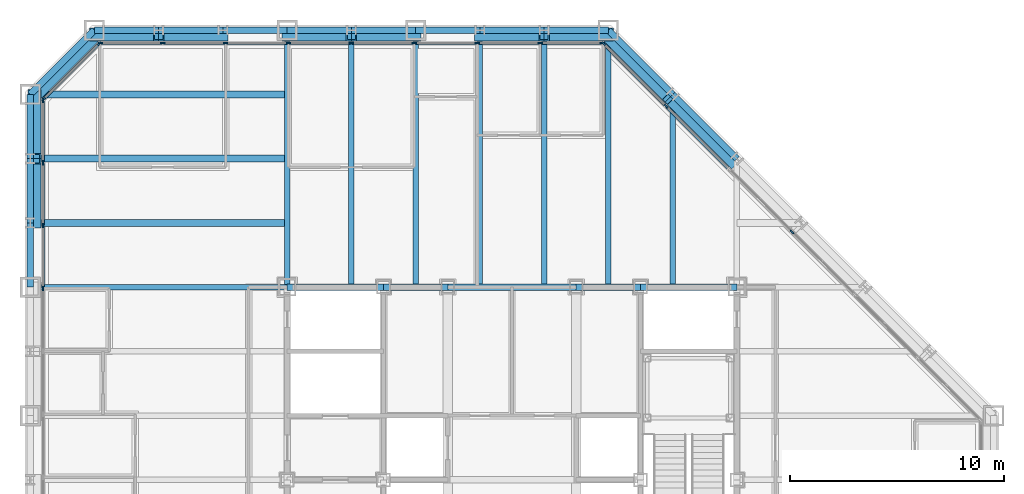
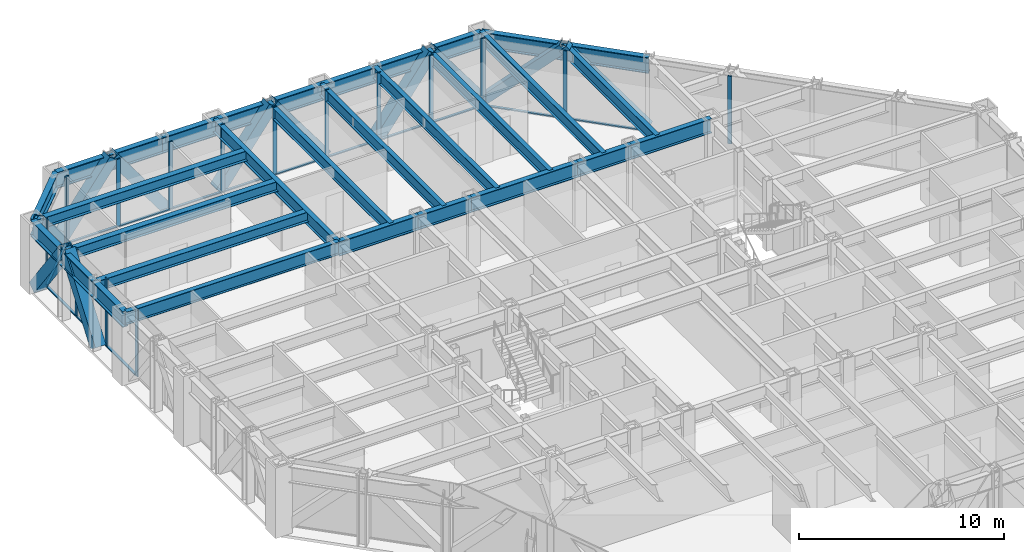
# One storey, part 7 of 16: 43 members, 30 beams, 4 elements without a shape of their own.
"""IFC4 building model written with IfcOpenShell, lengths in metres."""

from ifc_helpers import new_model, si_unit, direction, frame, origin, origin_2d, place, context, subcontext, project, spatial, rectangle, hollow_rectangle, i_section, extrude, material, layer, layer_set, material_profile, profile_set, type_object, element, aggregate, save


model = new_model("IFC4")

# Units and contexts
model_context = context("Model", 3, precision=1e-05, world=origin(), true_north=direction((0.0, 1.0)))
body_context = subcontext(model_context, "Body", "Model", "MODEL_VIEW")
ifc_project = project(units=[si_unit("LENGTHUNIT", "METRE"), si_unit("AREAUNIT", "SQUARE_METRE"), si_unit("VOLUMEUNIT", "CUBIC_METRE"), si_unit("PLANEANGLEUNIT", "RADIAN"), si_unit("MASSUNIT", "GRAM", prefix="KILO")], contexts=[model_context])

# Site, building, storey
site_placement = place(None, origin())
site = spatial("IfcSite", under=ifc_project, at=site_placement, CompositionType="ELEMENT")
building_placement = place(site_placement, origin())
building = spatial("IfcBuilding", under=site, at=building_placement, Name="Chuquiago Exchange Tower", CompositionType="ELEMENT")
storey_placement = place(building_placement, frame((0.0, 0.0, 153.0)))
storey = spatial("IfcBuildingStorey", under=building, at=storey_placement, Name="L33", CompositionType="ELEMENT", Elevation=153.0)

# Beams
ifc_material_1 = material(Name="Steel ASTM A992", Category="steel")
ifc_material_profile_1 = material_profile(ifc_material_1, i_section(OverallWidth=0.25390625, OverallDepth=0.683349609375, WebThickness=0.012451171875, FlangeThickness=0.018798828125, at=origin_2d()), Name="W27X94")
ifc_profile_set_1 = profile_set([ifc_material_profile_1], Name="Steel ASTM A992")
beam_type_1 = type_object("IfcBeamType", Name="B1 W27X94", PredefinedType="BEAM", material=ifc_profile_set_1)
for number, where, z_axis, x_axis, name in (
    (1, (15.0, 33.0, 3.698486328125), (0.0, 1.0, 0.0), (-1.0, 0.0, 0.0), "FB-L34-infill-15_33-15_45-0"),
    (2, (18.0, 33.0, 3.698486328125), (0.0, 1.0, 0.0), (-1.0, 0.0, 0.0), "FB-L34-infill-18_33-18_45-0"),
    (3, (21.0, 33.0, 3.698486328125), (0.0, 1.0, 0.0), (-1.0, 0.0, 0.0), "FB-L34-infill-21_33-21_45-0"),
    (4, (24.0, 33.0, 3.698486328125), (0.0, 1.0, 0.0), (-1.0, 0.0, 0.0), "FB-L34-infill-24_33-24_45-0"),
    (5, (27.0, 33.0, 3.698486328125), (0.0, 1.0, 0.0), (-1.0, 0.0, 0.0), "FB-L34-infill-27_33-27_45-0"),
):
    element("IfcBeam", number, at=place(storey_placement, frame(where, z_axis=z_axis, x_axis=x_axis)), inside=storey, type_object=beam_type_1, Name=name, PredefinedType="BEAM", context=body_context, shape_type="SweptSolid", body=[
        extrude(i_section(OverallWidth=0.25390625, OverallDepth=0.683349609375, WebThickness=0.012451171875, FlangeThickness=0.018798828125, at=origin_2d()), origin(), (0.0, 0.0, 1.0), 12.0),
    ])
beam_1_placement = place(storey_placement, frame((30.0, 33.0, 3.698486328125), z_axis=(0.0, 1.0, 0.0), x_axis=(-1.0, 0.0, 0.0)))
element("IfcBeam", 6, at=beam_1_placement, inside=storey, type_object=beam_type_1, Name="FB-L34-infill-30_33-30_42-0", PredefinedType="BEAM", context=body_context, shape_type="SweptSolid", body=[
    extrude(i_section(OverallWidth=0.25390625, OverallDepth=0.683349609375, WebThickness=0.012451171875, FlangeThickness=0.018798828125, at=origin_2d()), origin(), (0.0, 0.0, 1.0), 9.0),
])
ifc_material_2 = material(Name="Steel ASTM A992", Category="steel")
ifc_material_profile_2 = material_profile(ifc_material_2, i_section(OverallWidth=0.3251953125, OverallDepth=0.612060546875, WebThickness=0.0126953125, FlangeThickness=0.01904296875, at=origin_2d()), Name="W24X104")
ifc_profile_set_2 = profile_set([ifc_material_profile_2], Name="Steel ASTM A992")
beam_type_2 = type_object("IfcBeamType", Name="B2 W24X104", PredefinedType="BEAM", material=ifc_profile_set_2)
for number, where, z_axis, x_axis, name in (
    (7, (12.0, 36.0, 3.73388671875), (-1.0, 0.0, 0.0), (0.0, -1.0, 0.0), "FB-L34-corner-12_36--0_36-0"),
    (8, (12.0, 39.0, 3.73388671875), (-1.0, 0.0, 0.0), (0.0, -1.0, 0.0), "FB-L34-corner-12_39--0_39-0"),
    (9, (12.0, 42.0, 3.73388671875), (-1.0, 0.0, 0.0), (0.0, -1.0, 0.0), "FB-L34-corner-12_42--0_42-0"),
):
    element("IfcBeam", number, at=place(storey_placement, frame(where, z_axis=z_axis, x_axis=x_axis)), inside=storey, type_object=beam_type_2, Name=name, PredefinedType="BEAM", context=body_context, shape_type="SweptSolid", body=[
        extrude(i_section(OverallWidth=0.3251953125, OverallDepth=0.612060546875, WebThickness=0.0126953125, FlangeThickness=0.01904296875, at=origin_2d()), origin(), (0.0, 0.0, 1.0), 12.0),
    ])
ifc_material_3 = material(Name="Steel ASTM A992", Category="steel")
ifc_material_profile_3 = material_profile(ifc_material_3, i_section(OverallWidth=0.2919921875, OverallDepth=0.8583984375, WebThickness=0.01708984375, FlangeThickness=0.031005859375, at=origin_2d()), Name="W33X169")
ifc_profile_set_3 = profile_set([ifc_material_profile_3], Name="Steel ASTM A992")
beam_type_3 = type_object("IfcBeamType", Name="B3 W33X169", PredefinedType="BEAM", material=ifc_profile_set_3)
beam_2_placement = place(storey_placement, frame((12.0, 33.0, 3.610595703125), z_axis=(1.0, 0.0, 0.0), x_axis=(0.0, 1.0, 0.0)))
element("IfcBeam", 10, at=beam_2_placement, inside=storey, type_object=beam_type_3, Name="CB-L34-12_33-16.5_33", PredefinedType="BEAM", context=body_context, shape_type="SweptSolid", body=[
    extrude(i_section(OverallWidth=0.2919921875, OverallDepth=0.8583984375, WebThickness=0.01708984375, FlangeThickness=0.031005859375, at=origin_2d()), origin(), (0.0, 0.0, 1.0), 4.5),
])
beam_3_placement = place(storey_placement, frame((16.5, 33.0, 3.610595703125), z_axis=(1.0, 0.0, 0.0), x_axis=(0.0, 1.0, 0.0)))
element("IfcBeam", 11, at=beam_3_placement, inside=storey, type_object=beam_type_3, Name="CB-L34-16.5_33-19.5_33", PredefinedType="BEAM", context=body_context, shape_type="SweptSolid", body=[
    extrude(i_section(OverallWidth=0.2919921875, OverallDepth=0.8583984375, WebThickness=0.01708984375, FlangeThickness=0.031005859375, at=origin_2d()), origin(), (0.0, 0.0, 1.0), 3.0),
])
beam_4_placement = place(storey_placement, frame((19.5, 33.0, 3.610595703125), z_axis=(1.0, 0.0, 0.0), x_axis=(0.0, 1.0, 0.0)))
element("IfcBeam", 12, at=beam_4_placement, inside=storey, type_object=beam_type_3, Name="CB-L34-19.5_33-25.5_33", PredefinedType="BEAM", context=body_context, shape_type="SweptSolid", body=[
    extrude(i_section(OverallWidth=0.2919921875, OverallDepth=0.8583984375, WebThickness=0.01708984375, FlangeThickness=0.031005859375, at=origin_2d()), origin(), (0.0, 0.0, 1.0), 6.0),
])
beam_5_placement = place(storey_placement, frame((25.5, 33.0, 3.610595703125), z_axis=(1.0, 0.0, 0.0), x_axis=(0.0, 1.0, 0.0)))
element("IfcBeam", 13, at=beam_5_placement, inside=storey, type_object=beam_type_3, Name="CB-L34-25.5_33-28.5_33", PredefinedType="BEAM", context=body_context, shape_type="SweptSolid", body=[
    extrude(i_section(OverallWidth=0.2919921875, OverallDepth=0.8583984375, WebThickness=0.01708984375, FlangeThickness=0.031005859375, at=origin_2d()), origin(), (0.0, 0.0, 1.0), 3.0),
])
beam_6_placement = place(storey_placement, frame((28.5, 33.0, 3.610595703125), z_axis=(1.0, 0.0, 0.0), x_axis=(0.0, 1.0, 0.0)))
element("IfcBeam", 14, at=beam_6_placement, inside=storey, type_object=beam_type_3, Name="CB-L34-28.5_33-33_33", PredefinedType="BEAM", context=body_context, shape_type="SweptSolid", body=[
    extrude(i_section(OverallWidth=0.2919921875, OverallDepth=0.8583984375, WebThickness=0.01708984375, FlangeThickness=0.031005859375, at=origin_2d()), origin(), (0.0, 0.0, 1.0), 4.5),
])

# Curtain wall, members
ifc_material_4 = material(Name="Aluminium curtain wall system", Category="aluminium")
ifc_layer_1 = layer(ifc_material_4, 0.22509765625)
ifc_layer_set_1 = layer_set([ifc_layer_1], Name="CW2 office curtain wall")
curtain_wall_type_1 = type_object("IfcCurtainWallType", Name="CW2 office curtain wall", PredefinedType="NOTDEFINED", material=ifc_layer_set_1)
curtain_wall_1_placement = place(storey_placement, origin())
curtain_wall_1 = element("IfcCurtainWall", 15, at=curtain_wall_1_placement, inside=storey, type_object=curtain_wall_type_1, Name="CW2 curtain wall L33", PredefinedType="NOTDEFINED")
ifc_material_5 = material(Name="Aluminium mullion, pale anodised", Category="aluminium")
ifc_material_profile_4 = material_profile(ifc_material_5, rectangle(XDim=0.06494140625, YDim=0.22509765625, at=origin_2d()), Name="AL 65x225")
ifc_profile_set_4 = profile_set([ifc_material_profile_4], Name="Aluminium mullion, pale anodised")
member_type_1 = type_object("IfcMemberType", Name="CW2-M mullion 65x225", PredefinedType="MULLION", material=ifc_profile_set_4)
member_1_placement = place(storey_placement, frame((26.718994140625, 44.39990234375, 0.0), z_axis=(0.0, 0.0, 1.0), x_axis=(0.0, -1.0, 0.0)))
member_1 = element("IfcMember", 16, at=member_1_placement, type_object=member_type_1, Name="CW2 mullion 1", PredefinedType="MULLION", context=body_context, shape_type="SweptSolid", body=[
    extrude(rectangle(XDim=0.06494140625, YDim=0.22509765625, at=origin_2d()), origin(), (0.0, 0.0, 1.0), 4.0400390625),
])
member_2_placement = place(storey_placement, frame((23.813720703125, 44.39990234375, 0.0), z_axis=(0.0, 0.0, 1.0), x_axis=(0.0, -1.0, 0.0)))
member_2 = element("IfcMember", 17, at=member_2_placement, type_object=member_type_1, Name="CW2 mullion 2", PredefinedType="MULLION", context=body_context, shape_type="SweptSolid", body=[
    extrude(rectangle(XDim=0.06494140625, YDim=0.22509765625, at=origin_2d()), origin(), (0.0, 0.0, 1.0), 4.0400390625),
])
member_3_placement = place(storey_placement, frame((20.875732421875, 44.39990234375, 0.0), z_axis=(0.0, 0.0, 1.0), x_axis=(0.0, -1.0, 0.0)))
member_3 = element("IfcMember", 18, at=member_3_placement, type_object=member_type_1, Name="CW2 mullion 3", PredefinedType="MULLION", context=body_context, shape_type="SweptSolid", body=[
    extrude(rectangle(XDim=0.06494140625, YDim=0.22509765625, at=origin_2d()), origin(), (0.0, 0.0, 1.0), 4.0400390625),
])
member_4_placement = place(storey_placement, frame((17.93798828125, 44.39990234375, 0.0), z_axis=(0.0, 0.0, 1.0), x_axis=(0.0, -1.0, 0.0)))
member_4 = element("IfcMember", 19, at=member_4_placement, type_object=member_type_1, Name="CW2 mullion 4", PredefinedType="MULLION", context=body_context, shape_type="SweptSolid", body=[
    extrude(rectangle(XDim=0.06494140625, YDim=0.22509765625, at=origin_2d()), origin(), (0.0, 0.0, 1.0), 4.0400390625),
])
member_5_placement = place(storey_placement, frame((15.0, 44.39990234375, 0.0), z_axis=(0.0, 0.0, 1.0), x_axis=(0.0, -1.0, 0.0)))
member_5 = element("IfcMember", 20, at=member_5_placement, type_object=member_type_1, Name="CW2 mullion 5", PredefinedType="MULLION", context=body_context, shape_type="SweptSolid", body=[
    extrude(rectangle(XDim=0.06494140625, YDim=0.22509765625, at=origin_2d()), origin(), (0.0, 0.0, 1.0), 4.0400390625),
])
member_6_placement = place(storey_placement, frame((12.06201171875, 44.39990234375, 0.0), z_axis=(0.0, 0.0, 1.0), x_axis=(0.0, -1.0, 0.0)))
member_6 = element("IfcMember", 21, at=member_6_placement, type_object=member_type_1, Name="CW2 mullion 6", PredefinedType="MULLION", context=body_context, shape_type="SweptSolid", body=[
    extrude(rectangle(XDim=0.06494140625, YDim=0.22509765625, at=origin_2d()), origin(), (0.0, 0.0, 1.0), 4.0400390625),
])
member_7_placement = place(storey_placement, frame((9.124267578125, 44.39990234375, 0.0), z_axis=(0.0, 0.0, 1.0), x_axis=(0.0, -1.0, 0.0)))
member_7 = element("IfcMember", 22, at=member_7_placement, type_object=member_type_1, Name="CW2 mullion 7", PredefinedType="MULLION", context=body_context, shape_type="SweptSolid", body=[
    extrude(rectangle(XDim=0.06494140625, YDim=0.22509765625, at=origin_2d()), origin(), (0.0, 0.0, 1.0), 4.0400390625),
])
member_8_placement = place(storey_placement, frame((6.186279296875, 44.39990234375, 0.0), z_axis=(0.0, 0.0, 1.0), x_axis=(0.0, -1.0, 0.0)))
member_8 = element("IfcMember", 23, at=member_8_placement, type_object=member_type_1, Name="CW2 mullion 8", PredefinedType="MULLION", context=body_context, shape_type="SweptSolid", body=[
    extrude(rectangle(XDim=0.06494140625, YDim=0.22509765625, at=origin_2d()), origin(), (0.0, 0.0, 1.0), 4.0400390625),
])
member_9_placement = place(storey_placement, frame((3.281005859375, 44.39990234375, 0.0), z_axis=(0.0, 0.0, 1.0), x_axis=(0.0, -1.0, 0.0)))
member_9 = element("IfcMember", 24, at=member_9_placement, type_object=member_type_1, Name="CW2 mullion 9", PredefinedType="MULLION", context=body_context, shape_type="SweptSolid", body=[
    extrude(rectangle(XDim=0.06494140625, YDim=0.22509765625, at=origin_2d()), origin(), (0.0, 0.0, 1.0), 4.0400390625),
])

curtain_wall_2_placement = place(storey_placement, origin())
curtain_wall_2 = element("IfcCurtainWall", 25, at=curtain_wall_2_placement, inside=storey, type_object=curtain_wall_type_1, Name="CW2 curtain wall L33", PredefinedType="NOTDEFINED")
member_10_placement = place(storey_placement, frame((0.60009765625, 41.718994140625, 0.0), z_axis=(0.0, 0.0, 1.0), x_axis=(1.0, 0.0, 0.0)))
member_10 = element("IfcMember", 26, at=member_10_placement, type_object=member_type_1, Name="CW2 mullion 1", PredefinedType="MULLION", context=body_context, shape_type="SweptSolid", body=[
    extrude(rectangle(XDim=0.06494140625, YDim=0.22509765625, at=origin_2d()), origin(), (0.0, 0.0, 1.0), 4.0400390625),
])
member_11_placement = place(storey_placement, frame((0.60009765625, 38.813720703125, 0.0), z_axis=(0.0, 0.0, 1.0), x_axis=(1.0, 0.0, 0.0)))
member_11 = element("IfcMember", 27, at=member_11_placement, type_object=member_type_1, Name="CW2 mullion 2", PredefinedType="MULLION", context=body_context, shape_type="SweptSolid", body=[
    extrude(rectangle(XDim=0.06494140625, YDim=0.22509765625, at=origin_2d()), origin(), (0.0, 0.0, 1.0), 4.0400390625),
])
member_12_placement = place(storey_placement, frame((0.60009765625, 35.875732421875, 0.0), z_axis=(0.0, 0.0, 1.0), x_axis=(1.0, 0.0, 0.0)))
member_12 = element("IfcMember", 28, at=member_12_placement, type_object=member_type_1, Name="CW2 mullion 3", PredefinedType="MULLION", context=body_context, shape_type="SweptSolid", body=[
    extrude(rectangle(XDim=0.06494140625, YDim=0.22509765625, at=origin_2d()), origin(), (0.0, 0.0, 1.0), 4.0400390625),
])
member_13_placement = place(storey_placement, frame((0.60009765625, 32.93798828125, 0.0), z_axis=(0.0, 0.0, 1.0), x_axis=(1.0, 0.0, 0.0)))
member_13 = element("IfcMember", 29, at=member_13_placement, type_object=member_type_1, Name="CW2 mullion 4", PredefinedType="MULLION", context=body_context, shape_type="SweptSolid", body=[
    extrude(rectangle(XDim=0.06494140625, YDim=0.22509765625, at=origin_2d()), origin(), (0.0, 0.0, 1.0), 4.0400390625),
])

# Member
ifc_material_6 = material(Name="Aluminium transom, pale anodised", Category="aluminium")
ifc_material_profile_5 = material_profile(ifc_material_6, rectangle(XDim=0.139892578125, YDim=0.06494140625, at=origin_2d()), Name="AL 140x65")
ifc_profile_set_5 = profile_set([ifc_material_profile_5], Name="Aluminium transom, pale anodised")
member_type_2 = type_object("IfcMemberType", Name="CW2-T transom 65x140", PredefinedType="MULLION", material=ifc_profile_set_5)
member_14_placement = place(storey_placement, frame((26.6865234375, 44.39990234375, 0.032470703125), z_axis=(-1.0, 0.0, 0.0), x_axis=(0.0, -1.0, 0.0)))
member_14 = element("IfcMember", 30, at=member_14_placement, type_object=member_type_2, Name="CW2 transom 1.1", PredefinedType="MULLION", context=body_context, shape_type="SweptSolid", body=[
    extrude(rectangle(XDim=0.139892578125, YDim=0.06494140625, at=origin_2d()), origin(), (0.0, 0.0, 1.0), 2.84033203125),
])

member_15_placement = place(storey_placement, frame((23.781005859375, 44.39990234375, 0.032470703125), z_axis=(-1.0, 0.0, 0.0), x_axis=(0.0, -1.0, 0.0)))
member_15 = element("IfcMember", 31, at=member_15_placement, type_object=member_type_2, Name="CW2 transom 2.1", PredefinedType="MULLION", context=body_context, shape_type="SweptSolid", body=[
    extrude(rectangle(XDim=0.139892578125, YDim=0.06494140625, at=origin_2d()), origin(), (0.0, 0.0, 1.0), 2.872802734375),
])

member_16_placement = place(storey_placement, frame((20.84326171875, 44.39990234375, 0.032470703125), z_axis=(-1.0, 0.0, 0.0), x_axis=(0.0, -1.0, 0.0)))
member_16 = element("IfcMember", 32, at=member_16_placement, type_object=member_type_2, Name="CW2 transom 3.1", PredefinedType="MULLION", context=body_context, shape_type="SweptSolid", body=[
    extrude(rectangle(XDim=0.139892578125, YDim=0.06494140625, at=origin_2d()), origin(), (0.0, 0.0, 1.0), 2.872802734375),
])

member_17_placement = place(storey_placement, frame((17.9052734375, 44.39990234375, 0.032470703125), z_axis=(-1.0, 0.0, 0.0), x_axis=(0.0, -1.0, 0.0)))
member_17 = element("IfcMember", 33, at=member_17_placement, type_object=member_type_2, Name="CW2 transom 4.1", PredefinedType="MULLION", context=body_context, shape_type="SweptSolid", body=[
    extrude(rectangle(XDim=0.139892578125, YDim=0.06494140625, at=origin_2d()), origin(), (0.0, 0.0, 1.0), 2.872802734375),
])

member_18_placement = place(storey_placement, frame((14.967529296875, 44.39990234375, 0.032470703125), z_axis=(-1.0, 0.0, 0.0), x_axis=(0.0, -1.0, 0.0)))
member_18 = element("IfcMember", 34, at=member_18_placement, type_object=member_type_2, Name="CW2 transom 5.1", PredefinedType="MULLION", context=body_context, shape_type="SweptSolid", body=[
    extrude(rectangle(XDim=0.139892578125, YDim=0.06494140625, at=origin_2d()), origin(), (0.0, 0.0, 1.0), 2.872802734375),
])

member_19_placement = place(storey_placement, frame((12.029541015625, 44.39990234375, 0.032470703125), z_axis=(-1.0, 0.0, 0.0), x_axis=(0.0, -1.0, 0.0)))
member_19 = element("IfcMember", 35, at=member_19_placement, type_object=member_type_2, Name="CW2 transom 6.1", PredefinedType="MULLION", context=body_context, shape_type="SweptSolid", body=[
    extrude(rectangle(XDim=0.139892578125, YDim=0.06494140625, at=origin_2d()), origin(), (0.0, 0.0, 1.0), 2.872802734375),
])

member_20_placement = place(storey_placement, frame((9.091796875, 44.39990234375, 0.032470703125), z_axis=(-1.0, 0.0, 0.0), x_axis=(0.0, -1.0, 0.0)))
member_20 = element("IfcMember", 36, at=member_20_placement, type_object=member_type_2, Name="CW2 transom 7.1", PredefinedType="MULLION", context=body_context, shape_type="SweptSolid", body=[
    extrude(rectangle(XDim=0.139892578125, YDim=0.06494140625, at=origin_2d()), origin(), (0.0, 0.0, 1.0), 2.872802734375),
])

member_21_placement = place(storey_placement, frame((6.15380859375, 44.39990234375, 0.032470703125), z_axis=(-1.0, 0.0, 0.0), x_axis=(0.0, -1.0, 0.0)))
member_21 = element("IfcMember", 37, at=member_21_placement, type_object=member_type_2, Name="CW2 transom 8.1", PredefinedType="MULLION", context=body_context, shape_type="SweptSolid", body=[
    extrude(rectangle(XDim=0.139892578125, YDim=0.06494140625, at=origin_2d()), origin(), (0.0, 0.0, 1.0), 2.84033203125),
])

aggregate(curtain_wall_1, [member_1, member_2, member_3, member_4, member_5, member_6, member_7, member_8, member_9, member_14, member_15, member_16, member_17, member_18, member_19, member_20, member_21])

member_22_placement = place(storey_placement, frame((0.60009765625, 41.6865234375, 0.032470703125), z_axis=(0.0, -1.0, 0.0), x_axis=(1.0, 0.0, 0.0)))
member_22 = element("IfcMember", 38, at=member_22_placement, type_object=member_type_2, Name="CW2 transom 1.1", PredefinedType="MULLION", context=body_context, shape_type="SweptSolid", body=[
    extrude(rectangle(XDim=0.139892578125, YDim=0.06494140625, at=origin_2d()), origin(), (0.0, 0.0, 1.0), 2.84033203125),
])

member_23_placement = place(storey_placement, frame((0.60009765625, 38.781005859375, 0.032470703125), z_axis=(0.0, -1.0, 0.0), x_axis=(1.0, 0.0, 0.0)))
member_23 = element("IfcMember", 39, at=member_23_placement, type_object=member_type_2, Name="CW2 transom 2.1", PredefinedType="MULLION", context=body_context, shape_type="SweptSolid", body=[
    extrude(rectangle(XDim=0.139892578125, YDim=0.06494140625, at=origin_2d()), origin(), (0.0, 0.0, 1.0), 2.872802734375),
])

member_24_placement = place(storey_placement, frame((0.60009765625, 35.84326171875, 0.032470703125), z_axis=(0.0, -1.0, 0.0), x_axis=(1.0, 0.0, 0.0)))
member_24 = element("IfcMember", 40, at=member_24_placement, type_object=member_type_2, Name="CW2 transom 3.1", PredefinedType="MULLION", context=body_context, shape_type="SweptSolid", body=[
    extrude(rectangle(XDim=0.139892578125, YDim=0.06494140625, at=origin_2d()), origin(), (0.0, 0.0, 1.0), 2.872802734375),
])

aggregate(curtain_wall_2, [member_10, member_11, member_12, member_13, member_22, member_23, member_24])

# Curtain wall, members
ifc_material_7 = material(Name="Aluminium curtain wall system", Category="aluminium")
ifc_layer_2 = layer(ifc_material_7, 0.199951171875)
ifc_layer_set_2 = layer_set([ifc_layer_2], Name="CW3 facet curtain wall")
curtain_wall_type_2 = type_object("IfcCurtainWallType", Name="CW3 facet curtain wall", PredefinedType="NOTDEFINED", material=ifc_layer_set_2)
curtain_wall_3_placement = place(storey_placement, origin())
curtain_wall_3 = element("IfcCurtainWall", 41, at=curtain_wall_3_placement, inside=storey, type_object=curtain_wall_type_2, Name="CW3 curtain wall L33", PredefinedType="NOTDEFINED")
ifc_material_8 = material(Name="Aluminium mullion, pale anodised", Category="aluminium")
ifc_material_profile_6 = material_profile(ifc_material_8, rectangle(XDim=0.06494140625, YDim=0.199951171875, at=origin_2d()), Name="AL 65x200")
ifc_profile_set_6 = profile_set([ifc_material_profile_6], Name="Aluminium mullion, pale anodised")
member_type_3 = type_object("IfcMemberType", Name="CW3-M mullion 65x200", PredefinedType="MULLION", material=ifc_profile_set_6)
member_25_placement = place(storey_placement, frame((35.57568359375, 35.57568359375, 0.0), z_axis=(0.0, 0.0, 1.0), x_axis=(-0.707106781187, -0.707106781187, 0.0)))
member_25 = element("IfcMember", 42, at=member_25_placement, type_object=member_type_3, Name="CW3 mullion 4", PredefinedType="MULLION", context=body_context, shape_type="SweptSolid", body=[
    extrude(rectangle(XDim=0.06494140625, YDim=0.199951171875, at=origin_2d()), origin(), (0.0, 0.0, 1.0), 4.0400390625),
])
member_26_placement = place(storey_placement, frame((29.69287109375, 41.45849609375, 0.0), z_axis=(0.0, 0.0, 1.0), x_axis=(-0.707106781187, -0.707106781187, 0.0)))
member_26 = element("IfcMember", 43, at=member_26_placement, type_object=member_type_3, Name="CW3 mullion 6", PredefinedType="MULLION", context=body_context, shape_type="SweptSolid", body=[
    extrude(rectangle(XDim=0.06494140625, YDim=0.199951171875, at=origin_2d()), origin(), (0.0, 0.0, 1.0), 4.0400390625),
])
member_27_placement = place(storey_placement, frame((26.7744140625, 44.376953125, 0.0), z_axis=(0.0, 0.0, 1.0), x_axis=(-0.707106781187, -0.707106781187, 0.0)))
member_27 = element("IfcMember", 44, at=member_27_placement, type_object=member_type_3, Name="CW3 mullion 7", PredefinedType="MULLION", context=body_context, shape_type="SweptSolid", body=[
    extrude(rectangle(XDim=0.06494140625, YDim=0.199951171875, at=origin_2d()), origin(), (0.0, 0.0, 1.0), 4.0400390625),
])

curtain_wall_4_placement = place(storey_placement, origin())
curtain_wall_4 = element("IfcCurtainWall", 45, at=curtain_wall_4_placement, inside=storey, type_object=curtain_wall_type_2, Name="CW3 curtain wall L33", PredefinedType="NOTDEFINED")
member_28_placement = place(storey_placement, frame((3.2255859375, 44.376953125, 0.0), z_axis=(0.0, 0.0, 1.0), x_axis=(0.707106781187, -0.707106781187, 0.0)))
member_28 = element("IfcMember", 46, at=member_28_placement, type_object=member_type_3, Name="CW3 mullion 1", PredefinedType="MULLION", context=body_context, shape_type="SweptSolid", body=[
    extrude(rectangle(XDim=0.06494140625, YDim=0.199951171875, at=origin_2d()), origin(), (0.0, 0.0, 1.0), 4.0400390625),
])
member_29_placement = place(storey_placement, frame((0.623046875, 41.7744140625, 0.0), z_axis=(0.0, 0.0, 1.0), x_axis=(0.707106781187, -0.707106781187, 0.0)))
member_29 = element("IfcMember", 47, at=member_29_placement, type_object=member_type_3, Name="CW3 mullion 2", PredefinedType="MULLION", context=body_context, shape_type="SweptSolid", body=[
    extrude(rectangle(XDim=0.06494140625, YDim=0.199951171875, at=origin_2d()), origin(), (0.0, 0.0, 1.0), 4.0400390625),
])

# Member
ifc_material_9 = material(Name="Aluminium transom, pale anodised", Category="aluminium")
ifc_material_profile_7 = material_profile(ifc_material_9, rectangle(XDim=0.139892578125, YDim=0.06494140625, at=origin_2d()), Name="AL 140x65")
ifc_profile_set_7 = profile_set([ifc_material_profile_7], Name="Aluminium transom, pale anodised")
member_type_4 = type_object("IfcMemberType", Name="CW3-T transom 65x140", PredefinedType="MULLION", material=ifc_profile_set_7)
member_30_placement = place(storey_placement, frame((32.611328125, 38.5400390625, 0.032470703125), z_axis=(-0.707106781187, 0.707106781187, 0.0), x_axis=(-0.707106781187, -0.707106781187, 0.0)))
member_30 = element("IfcMember", 48, at=member_30_placement, type_object=member_type_4, Name="CW3 transom 5.1", PredefinedType="MULLION", context=body_context, shape_type="SweptSolid", body=[
    extrude(rectangle(XDim=0.139892578125, YDim=0.06494140625, at=origin_2d()), origin(), (0.0, 0.0, 1.0), 4.094970703125),
])

member_31_placement = place(storey_placement, frame((29.669921875, 41.4814453125, 0.032470703125), z_axis=(-0.707106781187, 0.707106781187, 0.0), x_axis=(-0.707106781187, -0.707106781187, 0.0)))
member_31 = element("IfcMember", 49, at=member_31_placement, type_object=member_type_4, Name="CW3 transom 6.1", PredefinedType="MULLION", context=body_context, shape_type="SweptSolid", body=[
    extrude(rectangle(XDim=0.139892578125, YDim=0.06494140625, at=origin_2d()), origin(), (0.0, 0.0, 1.0), 4.0625),
])

aggregate(curtain_wall_3, [member_25, member_26, member_27, member_30, member_31])

member_32_placement = place(storey_placement, frame((3.20263671875, 44.35400390625, 0.032470703125), z_axis=(-0.707106781187, -0.707106781187, 0.0), x_axis=(0.707106781187, -0.707106781187, 0.0)))
member_32 = element("IfcMember", 50, at=member_32_placement, type_object=member_type_4, Name="CW3 transom 1.1", PredefinedType="MULLION", context=body_context, shape_type="SweptSolid", body=[
    extrude(rectangle(XDim=0.139892578125, YDim=0.06494140625, at=origin_2d()), origin(), (0.0, 0.0, 1.0), 3.61572265625),
])

aggregate(curtain_wall_4, [member_28, member_29, member_32])

# Beams
ifc_material_10 = material(Name="Steel ASTM A992", Category="steel")
ifc_material_profile_8 = material_profile(ifc_material_10, i_section(OverallWidth=0.2666015625, OverallDepth=0.76953125, WebThickness=0.015625, FlangeThickness=0.025390625, at=origin_2d()), Name="W30X132")
ifc_profile_set_8 = profile_set([ifc_material_profile_8], Name="Steel ASTM A992")
beam_type_4 = type_object("IfcBeamType", Name="G1 W30X132", PredefinedType="BEAM", material=ifc_profile_set_8)
for number, where, z_axis, x_axis, name in (
    (51, (12.0, 33.0, 3.6552734375), (0.0, 1.0, 0.0), (-1.0, 0.0, 0.0), "FB-L34-girder-12_33-12_45-0"),
    (52, (12.0, 33.0, 3.6552734375), (-1.0, 0.0, 0.0), (0.0, -1.0, 0.0), "FB-L34-girder-12_33--0_33-0"),
):
    element("IfcBeam", number, at=place(storey_placement, frame(where, z_axis=z_axis, x_axis=x_axis)), inside=storey, type_object=beam_type_4, Name=name, PredefinedType="BEAM", context=body_context, shape_type="SweptSolid", body=[
        extrude(i_section(OverallWidth=0.2666015625, OverallDepth=0.76953125, WebThickness=0.015625, FlangeThickness=0.025390625, at=origin_2d()), origin(), (0.0, 0.0, 1.0), 12.0),
    ])

# Members
ifc_material_11 = material(Name="Steel ASTM A500 Grade C", Category="steel")
ifc_material_profile_9 = material_profile(ifc_material_11, hollow_rectangle(XDim=0.508056640625, YDim=0.508056640625, WallThickness=0.017822265625, at=origin_2d()), Name="HSS20X20X3/4")
ifc_profile_set_9 = profile_set([ifc_material_profile_9], Name="Steel ASTM A500 Grade C")
member_type_5 = type_object("IfcMemberType", Name="LB1 HSS20X20X3/4", PredefinedType="BRACE", material=ifc_profile_set_9)
for number, where, z_axis, x_axis, name in (
    (53, (32.822509765625, 38.822509765625, 0.0), (-0.512077265487, 0.512077265487, 0.689604051861), (-0.707106781187, -0.707106781187, 0.0), "LB-L33-33_39-30_42"),
    (54, (26.822509765625, 44.822509765625, 0.0), (0.512077265487, -0.512077265487, 0.689604051861), (0.707106781187, 0.707106781187, 0.0), "LB-L33-30_42-27_45"),
    (55, (3.177490234375, 44.822509765625, 0.0), (-0.512077265487, -0.512077265487, 0.689604051861), (0.707106781187, -0.707106781187, 0.0), "LB-L33-3_45-0_42"),
):
    element("IfcMember", number, at=place(storey_placement, frame(where, z_axis=z_axis, x_axis=x_axis)), inside=storey, type_object=member_type_5, Name=name, PredefinedType="BRACE", context=body_context, shape_type="SweptSolid", body=[
        extrude(hollow_rectangle(XDim=0.508056640625, YDim=0.508056640625, WallThickness=0.017822265625, at=origin_2d()), origin(), (0.0, 0.0, 1.0), 5.8583984375),
    ])
ifc_material_12 = material(Name="Steel ASTM A572 Grade 50", Category="steel")
ifc_material_profile_10 = material_profile(ifc_material_12, hollow_rectangle(XDim=0.60009765625, YDim=0.60009765625, WallThickness=0.06005859375, at=origin_2d()), Name="BOX600X600X60")
ifc_profile_set_10 = profile_set([ifc_material_profile_10], Name="Steel ASTM A572 Grade 50")
member_type_6 = type_object("IfcMemberType", Name="MB2 BOX600X600X60", PredefinedType="BRACE", material=ifc_profile_set_10)
for number, where, z_axis, x_axis, name in (
    (56, (27.0, 44.794921875, 0.0), (-0.596173923302, 0.0, 0.802855312728), (0.0, -1.0, 0.0), "Mega diagonal L33 N face"),
    (57, (21.0, 44.794921875, 0.0), (0.596173923302, 0.0, 0.802855312728), (0.0, 1.0, 0.0), "Mega diagonal L33 N face"),
    (58, (18.0, 44.794921875, 0.0), (-0.596173923302, 0.0, 0.802855312728), (0.0, -1.0, 0.0), "Mega diagonal L33 N face"),
    (59, (12.0, 44.794921875, 0.0), (0.596173923302, 0.0, 0.802855312728), (0.0, 1.0, 0.0), "Mega diagonal L33 N face"),
    (60, (9.0, 44.794921875, 0.0), (-0.596173923302, 0.0, 0.802855312728), (0.0, -1.0, 0.0), "Mega diagonal L33 N face"),
    (61, (3.0, 44.794921875, 0.0), (0.596173923302, 0.0, 0.802855312728), (0.0, 1.0, 0.0), "Mega diagonal L33 N face"),
    (62, (0.205078125, 42.0, 0.0), (0.0, -0.596173923302, 0.802855312728), (1.0, 0.0, 0.0), "Mega diagonal L33 W face"),
    (63, (0.205078125, 36.0, 0.0), (0.0, 0.596173923302, 0.802855312728), (-1.0, 0.0, 0.0), "Mega diagonal L33 W face"),
):
    element("IfcMember", number, at=place(storey_placement, frame(where, z_axis=z_axis, x_axis=x_axis)), inside=storey, type_object=member_type_6, Name=name, PredefinedType="BRACE", context=body_context, shape_type="SweptSolid", body=[
        extrude(hollow_rectangle(XDim=0.60009765625, YDim=0.60009765625, WallThickness=0.06005859375, at=origin_2d()), origin(), (0.0, 0.0, 1.0), 5.031982421875),
    ])

# Beams
ifc_material_13 = material(Name="Steel ASTM A992", Category="steel")
ifc_material_profile_11 = material_profile(ifc_material_13, i_section(OverallWidth=0.309814453125, OverallDepth=0.949951171875, WebThickness=0.0244140625, FlangeThickness=0.0439453125, at=origin_2d()), Name="W36X256")
ifc_profile_set_11 = profile_set([ifc_material_profile_11], Name="Steel ASTM A992")
beam_type_5 = type_object("IfcBeamType", Name="SP2 W36X256", PredefinedType="SPANDREL", material=ifc_profile_set_11)
for number, where, z_axis, x_axis, name in (
    (64, (33.0, 39.0, 3.56494140625), (-0.707106781187, 0.707106781187, 0.0), (-0.707106781187, -0.707106781187, 0.0), "SPB-L34-33_39-30_42"),
    (65, (30.0, 42.0, 3.56494140625), (-0.707106781187, 0.707106781187, 0.0), (-0.707106781187, -0.707106781187, 0.0), "SPB-L34-30_42-27_45"),
):
    element("IfcBeam", number, at=place(storey_placement, frame(where, z_axis=z_axis, x_axis=x_axis)), inside=storey, type_object=beam_type_5, Name=name, PredefinedType="SPANDREL", context=body_context, shape_type="SweptSolid", body=[
        extrude(i_section(OverallWidth=0.309814453125, OverallDepth=0.949951171875, WebThickness=0.0244140625, FlangeThickness=0.0439453125, at=origin_2d()), origin(), (0.0, 0.0, 1.0), 4.24267578125),
    ])
for number, where, z_axis, x_axis, name in (
    (66, (27.0, 45.0, 3.56494140625), (-1.0, 0.0, 0.0), (0.0, -1.0, 0.0), "SPB-L34-27_45-24_45"),
    (67, (24.0, 45.0, 3.56494140625), (-1.0, 0.0, 0.0), (0.0, -1.0, 0.0), "SPB-L34-24_45-21_45"),
    (68, (21.0, 45.0, 3.56494140625), (-1.0, 0.0, 0.0), (0.0, -1.0, 0.0), "SPB-L34-21_45-18_45"),
    (69, (18.0, 45.0, 3.56494140625), (-1.0, 0.0, 0.0), (0.0, -1.0, 0.0), "SPB-L34-18_45-15_45"),
    (70, (15.0, 45.0, 3.56494140625), (-1.0, 0.0, 0.0), (0.0, -1.0, 0.0), "SPB-L34-15_45-12_45"),
    (71, (12.0, 45.0, 3.56494140625), (-1.0, 0.0, 0.0), (0.0, -1.0, 0.0), "SPB-L34-12_45-9_45"),
    (72, (9.0, 45.0, 3.56494140625), (-1.0, 0.0, 0.0), (0.0, -1.0, 0.0), "SPB-L34-9_45-6_45"),
    (73, (6.0, 45.0, 3.56494140625), (-1.0, 0.0, 0.0), (0.0, -1.0, 0.0), "SPB-L34-6_45-3_45"),
):
    element("IfcBeam", number, at=place(storey_placement, frame(where, z_axis=z_axis, x_axis=x_axis)), inside=storey, type_object=beam_type_5, Name=name, PredefinedType="SPANDREL", context=body_context, shape_type="SweptSolid", body=[
        extrude(i_section(OverallWidth=0.309814453125, OverallDepth=0.949951171875, WebThickness=0.0244140625, FlangeThickness=0.0439453125, at=origin_2d()), origin(), (0.0, 0.0, 1.0), 3.0),
    ])
beam_7_placement = place(storey_placement, frame((3.0, 45.0, 3.56494140625), z_axis=(-0.707106781187, -0.707106781187, 0.0), x_axis=(0.707106781187, -0.707106781187, 0.0)))
element("IfcBeam", 74, at=beam_7_placement, inside=storey, type_object=beam_type_5, Name="SPB-L34-3_45-0_42", PredefinedType="SPANDREL", context=body_context, shape_type="SweptSolid", body=[
    extrude(i_section(OverallWidth=0.309814453125, OverallDepth=0.949951171875, WebThickness=0.0244140625, FlangeThickness=0.0439453125, at=origin_2d()), origin(), (0.0, 0.0, 1.0), 4.24267578125),
])
for number, where, z_axis, x_axis, name in (
    (75, (0.0, 42.0, 3.56494140625), (0.0, -1.0, 0.0), (1.0, 0.0, 0.0), "SPB-L34-0_42-0_39"),
    (76, (0.0, 39.0, 3.56494140625), (0.0, -1.0, 0.0), (1.0, 0.0, 0.0), "SPB-L34-0_39-0_36"),
    (77, (0.0, 36.0, 3.56494140625), (0.0, -1.0, 0.0), (1.0, 0.0, 0.0), "SPB-L34-0_36-0_33"),
):
    element("IfcBeam", number, at=place(storey_placement, frame(where, z_axis=z_axis, x_axis=x_axis)), inside=storey, type_object=beam_type_5, Name=name, PredefinedType="SPANDREL", context=body_context, shape_type="SweptSolid", body=[
        extrude(i_section(OverallWidth=0.309814453125, OverallDepth=0.949951171875, WebThickness=0.0244140625, FlangeThickness=0.0439453125, at=origin_2d()), origin(), (0.0, 0.0, 1.0), 3.0),
    ])

save(model, "model.ifc")
